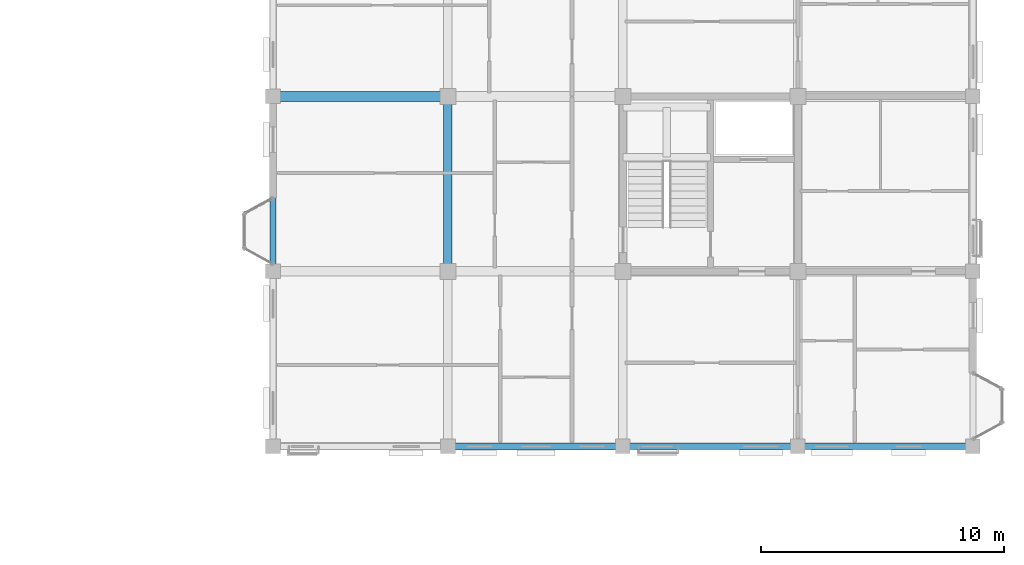
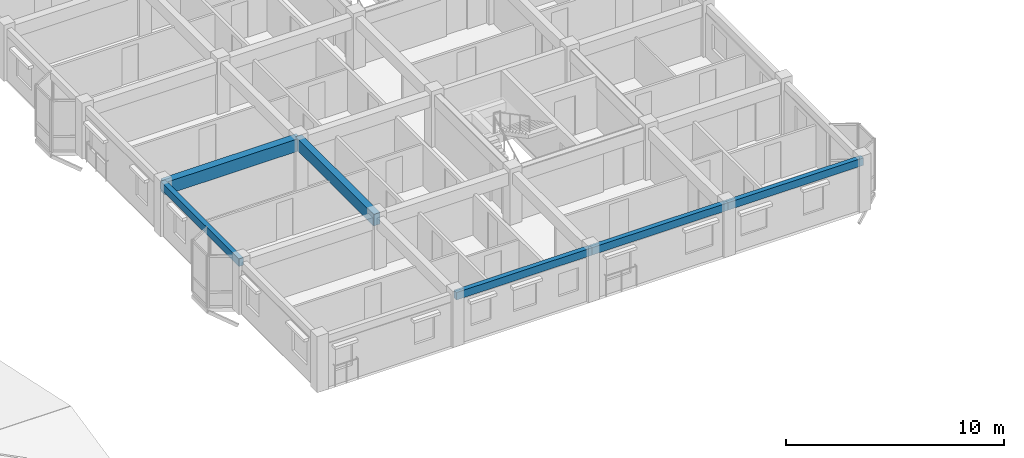
# One storey, part 47 of 124: 6 beams.
"""IFC4 building model written with IfcOpenShell, lengths in metres."""

from ifc_helpers import new_model, si_unit, direction, frame, origin, origin_2d, place, context, subcontext, project, spatial, rectangle, extrude, material, material_profile, profile_set, type_object, element, save


model = new_model("IFC4")

# Units and contexts
model_context = context("Model", 3, precision=1e-05, world=origin(), true_north=direction((0.0, 1.0)))
body_context = subcontext(model_context, "Body", "Model", "MODEL_VIEW")
ifc_project = project(units=[si_unit("LENGTHUNIT", "METRE"), si_unit("AREAUNIT", "SQUARE_METRE"), si_unit("VOLUMEUNIT", "CUBIC_METRE"), si_unit("PLANEANGLEUNIT", "RADIAN"), si_unit("MASSUNIT", "GRAM", prefix="KILO"), si_unit("THERMODYNAMICTEMPERATUREUNIT", "KELVIN"), si_unit("POWERUNIT", "WATT")], contexts=[model_context])

# Site, building, storey
site_placement = place(None, origin())
site = spatial("IfcSite", under=ifc_project, at=site_placement, CompositionType="ELEMENT")
building_placement = place(site_placement, origin())
building = spatial("IfcBuilding", under=site, at=building_placement, Name="Tavuni Mirador Residences", CompositionType="ELEMENT")
storey_placement = place(building_placement, frame((0.0, 0.0, 7.64990234375)))
storey = spatial("IfcBuildingStorey", under=building, at=storey_placement, Name="L02", CompositionType="ELEMENT", Elevation=7.64990234375)

# Beams
ifc_material = material(Name="Precast concrete C40/50", Category="concrete")
ifc_material_profile_1 = material_profile(ifc_material, rectangle(XDim=0.35009765625, YDim=0.64990234375, at=origin_2d()), Name="PC 350x650", Category="concrete")
ifc_profile_set_1 = profile_set([ifc_material_profile_1], Name="Precast concrete C40/50")
beam_type_1 = type_object("IfcBeamType", Name="BT-B650", PredefinedType="BEAM", material=ifc_profile_set_1)
beam_1_placement = place(storey_placement, frame((97.199951171875, 93.60009765625, 2.565185546875), z_axis=(0.0, 1.0, 0.0), x_axis=(-1.0, 0.0, 0.0)))
element("IfcBeam", 1, at=beam_1_placement, inside=storey, type_object=beam_type_1, Name="BMY-BLK-D-L02-01-01", PredefinedType="BEAM", context=body_context, shape_type="SweptSolid", body=[
    extrude(rectangle(XDim=0.35009765625, YDim=0.64990234375, at=origin_2d()), origin(), (0.0, 0.0, 1.0), 7.199951171875),
])
ifc_material_profile_2 = material_profile(ifc_material, rectangle(XDim=0.39990234375, YDim=0.699951171875, at=origin_2d()), Name="PC 400x700", Category="concrete")
ifc_profile_set_2 = profile_set([ifc_material_profile_2], Name="Precast concrete C40/50")
beam_type_2 = type_object("IfcBeamType", Name="BT-B700", PredefinedType="BEAM", material=ifc_profile_set_2)
beam_2_placement = place(storey_placement, frame((90.0, 100.800048828125, 2.5400390625), z_axis=(1.0, 0.0, 0.0), x_axis=(0.0, 1.0, 0.0)))
element("IfcBeam", 2, at=beam_2_placement, inside=storey, type_object=beam_type_2, Name="BMX-BLK-D-L02-00-02", PredefinedType="BEAM", context=body_context, shape_type="SweptSolid", body=[
    extrude(rectangle(XDim=0.39990234375, YDim=0.699951171875, at=origin_2d()), origin(), (0.0, 0.0, 1.0), 7.199951171875),
])
ifc_material_profile_3 = material_profile(ifc_material, rectangle(XDim=0.25, YDim=0.419921875, at=origin_2d()), Name="PC 250x420", Category="concrete")
ifc_profile_set_3 = profile_set([ifc_material_profile_3], Name="Precast concrete C40/50")
beam_type_3 = type_object("IfcBeamType", Name="BT-SP420", PredefinedType="SPANDREL", material=ifc_profile_set_3)
beam_3_placement = place(storey_placement, frame((97.199951171875, 86.39990234375, 2.68017578125), z_axis=(1.0, 0.0, 0.0), x_axis=(0.0, 1.0, 0.0)))
element("IfcBeam", 3, at=beam_3_placement, inside=storey, type_object=beam_type_3, Name="BMX-BLK-D-L02-01-00", PredefinedType="SPANDREL", context=body_context, shape_type="SweptSolid", body=[
    extrude(rectangle(XDim=0.25, YDim=0.419921875, at=origin_2d()), origin(), (0.0, 0.0, 1.0), 7.199951171875),
])
beam_4_placement = place(storey_placement, frame((104.39990234375, 86.39990234375, 2.68017578125), z_axis=(1.0, 0.0, 0.0), x_axis=(0.0, 1.0, 0.0)))
element("IfcBeam", 4, at=beam_4_placement, inside=storey, type_object=beam_type_3, Name="BMX-BLK-D-L02-02-00", PredefinedType="SPANDREL", context=body_context, shape_type="SweptSolid", body=[
    extrude(rectangle(XDim=0.25, YDim=0.419921875, at=origin_2d()), origin(), (0.0, 0.0, 1.0), 7.2001953125),
])
for number, where, z_axis, x_axis, name in (
    (5, (111.60009765625, 86.39990234375, 2.68017578125), (1.0, 0.0, 0.0), (0.0, 1.0, 0.0), "BMX-BLK-D-L02-03-00"),
    (6, (90.0, 93.60009765625, 2.68017578125), (0.0, 1.0, 0.0), (-1.0, 0.0, 0.0), "BMY-BLK-D-L02-00-01"),
):
    element("IfcBeam", number, at=place(storey_placement, frame(where, z_axis=z_axis, x_axis=x_axis)), inside=storey, type_object=beam_type_3, Name=name, PredefinedType="SPANDREL", context=body_context, shape_type="SweptSolid", body=[
        extrude(rectangle(XDim=0.25, YDim=0.419921875, at=origin_2d()), origin(), (0.0, 0.0, 1.0), 7.199951171875),
    ])

save(model, "model.ifc")
